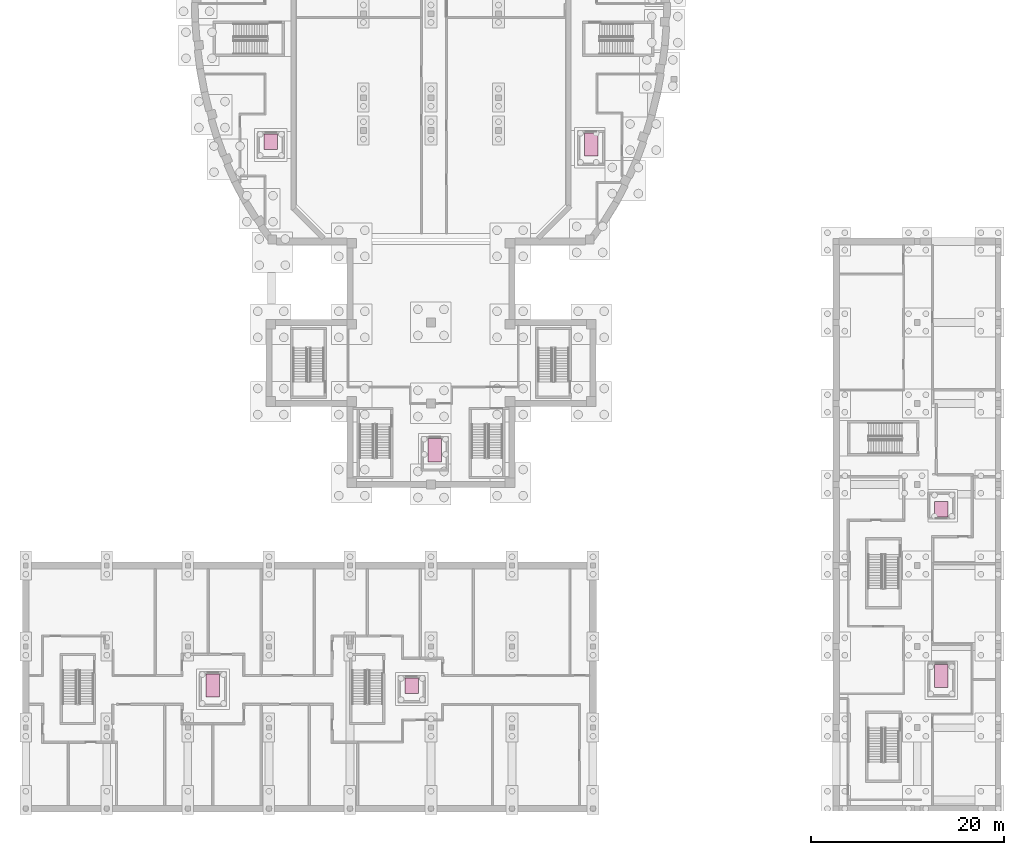
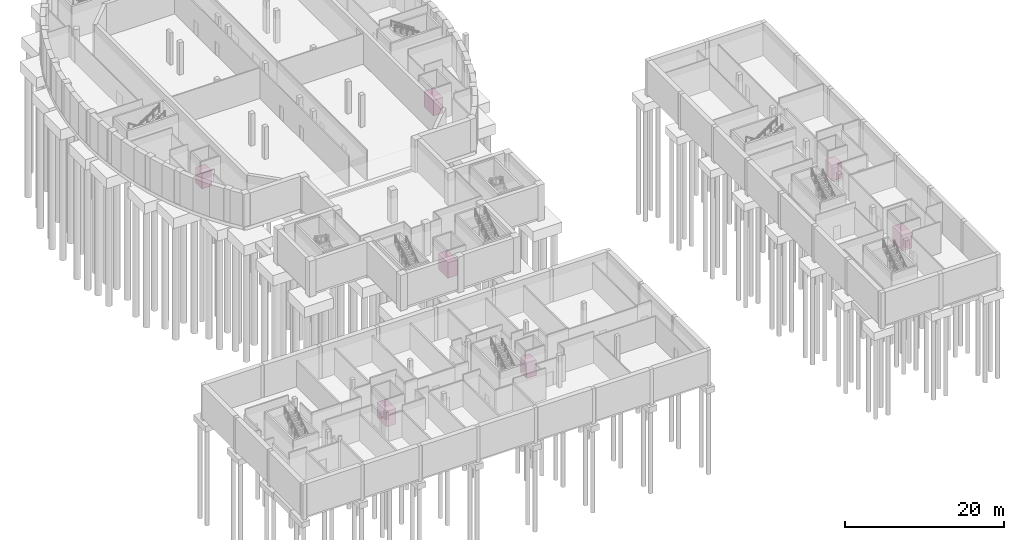
# One storey, part 33 of 33: 7 transport elements.
"""IFC4 building model written with IfcOpenShell, lengths in metres."""

import ifcopenshell
import ifcopenshell.guid

model = None  # the IFC model being written
_history = None  # IfcOwnerHistory: only IFC2X3 demands one
_inside = {}  # id of a spatial element -> (the spatial element, [elements in it])
_under = {}  # id of a project, library or spatial element -> (it, [spatial elements below it])
_declared = {}  # id of a project -> (the project, [libraries it declares])
_typed = {}  # id of a type object -> (the type object, [elements of that type])
_made_of = {}  # id of a material, layer set ... -> (it, [elements and type objects made of it])


def new_model(schema):
    """Start an empty IFC model of exactly this schema.

    Asked for "IFC4X3", IfcOpenShell would pick the latest addendum, in which some entities
    have other attributes; the version numbers below select the first issue.
    IFC2X3 requires an IfcOwnerHistory on every rooted entity: one is made here for all.
    """
    global model, _history
    if schema == "IFC4X3":
        model = ifcopenshell.file(schema_version=(4, 3, 0, 0))
    else:
        model = ifcopenshell.file(schema=schema)
    _inside.clear()
    _under.clear()
    _declared.clear()
    _typed.clear()
    _made_of.clear()
    _history = None
    if model.schema == "IFC2X3":
        org = make("IfcOrganization", Name="unknown")
        user = make(
            "IfcPersonAndOrganization",
            ThePerson=make("IfcPerson", FamilyName="unknown"),
            TheOrganization=org,
        )
        app = make(
            "IfcApplication",
            ApplicationDeveloper=org,
            Version="unknown",
            ApplicationFullName="unknown",
            ApplicationIdentifier="unknown",
        )
        _history = make(
            "IfcOwnerHistory",
            OwningUser=user,
            OwningApplication=app,
            ChangeAction="ADDED",
            CreationDate=0,
        )
    return model


def make(cls, **values):
    """One entity of the class cls with the attributes given. An attribute that is None is left unset."""
    return model.create_entity(
        cls, **{name: value for name, value in values.items() if value is not None}
    )


def rooted(cls, **values):
    """An entity with a GlobalId (a new one), such as an element, a storey or a relation."""
    return make(cls, GlobalId=ifcopenshell.guid.new(), OwnerHistory=_history, **values)


def si_unit(unit_type, name, prefix=None):
    """IfcSIUnit, for example si_unit("LENGTHUNIT", "METRE", prefix="MILLI")."""
    return make("IfcSIUnit", UnitType=unit_type, Prefix=prefix, Name=name)


def assignment(units):
    """IfcUnitAssignment: the units of a project."""
    return None if units is None else make("IfcUnitAssignment", Units=units)


def point(xyz):
    """IfcCartesianPoint."""
    return None if xyz is None else make("IfcCartesianPoint", Coordinates=xyz)


def direction(xyz):
    """IfcDirection."""
    return None if xyz is None else make("IfcDirection", DirectionRatios=xyz)


def frame(location, z_axis=None, x_axis=None):
    """IfcAxis2Placement3D, a coordinate frame: its origin and axes. An axis left out is left unset."""
    return make(
        "IfcAxis2Placement3D",
        Location=point(location),
        Axis=direction(z_axis),
        RefDirection=direction(x_axis),
    )


def frame_2d(location, x_axis=None):
    """IfcAxis2Placement2D, a coordinate frame in the plane: its origin and x axis."""
    return make(
        "IfcAxis2Placement2D", Location=point(location), RefDirection=direction(x_axis)
    )


def origin():
    """The frame at (0, 0, 0) with its axes left unset."""
    return frame((0.0, 0.0, 0.0))


def origin_2d():
    """The frame at (0, 0) in the plane with its x axis left unset."""
    return frame_2d((0.0, 0.0))


def place(relative_to, where):
    """IfcLocalPlacement: puts the frame where relative to a parent placement (None: the world)."""
    return make(
        "IfcLocalPlacement", PlacementRelTo=relative_to, RelativePlacement=where
    )


def context(
    kind, dimensions, precision=None, world=None, true_north=None, identifier=None
):
    """IfcGeometricRepresentationContext, for example the 3D "Model" context."""
    return make(
        "IfcGeometricRepresentationContext",
        ContextIdentifier=identifier,
        ContextType=kind,
        CoordinateSpaceDimension=dimensions,
        Precision=precision,
        WorldCoordinateSystem=world,
        TrueNorth=true_north,
    )


def subcontext(parent, identifier, kind, view, scale=None):
    """IfcGeometricRepresentationSubContext, for example "Body" below "Model"."""
    return make(
        "IfcGeometricRepresentationSubContext",
        ContextIdentifier=identifier,
        ContextType=kind,
        ParentContext=parent,
        TargetScale=scale,
        TargetView=view,
    )


def project(units=None, contexts=None):
    """IfcProject with its units and contexts."""
    return rooted(
        "IfcProject",
        Name="project",
        RepresentationContexts=contexts,
        UnitsInContext=assignment(units),
    )


def spatial(cls, under=None, at=None, **own):
    """A site, building, storey or space (cls), placed at a placement, below another one or the project."""
    s = rooted(cls, ObjectPlacement=at, **own)
    if under is not None:
        _under.setdefault(under.id(), (under, []))[1].append(s)
    return s


def profile(cls, at=None, kind="AREA", **sizes):
    """A parametric profile (cls). Its sizes go by their IFC names, for example OverallWidth=200.0."""
    return make(cls, ProfileType=kind, Position=at, **sizes)


def rectangle(**sizes):
    """IfcRectangleProfileDef."""
    return profile("IfcRectangleProfileDef", **sizes)


def extrude(swept, where, along, depth):
    """IfcExtrudedAreaSolid: the profile swept, set in the frame where, extruded along a direction by depth."""
    return make(
        "IfcExtrudedAreaSolid",
        SweptArea=swept,
        Position=where,
        ExtrudedDirection=direction(along),
        Depth=depth,
    )


def shape(context_of_items, identifier, shape_type, items):
    """IfcShapeRepresentation: the items that make up one representation, for example the "Body"."""
    return make(
        "IfcShapeRepresentation",
        ContextOfItems=context_of_items,
        RepresentationIdentifier=identifier,
        RepresentationType=shape_type,
        Items=items,
    )


def material(Name=None, Category=None):
    """IfcMaterial."""
    return make("IfcMaterial", Name=Name, Category=Category)


def made_of(thing, what):
    """Note that an element or type object is made of a material, layer set ...; save() writes the relation."""
    if what is not None:
        _made_of.setdefault(what.id(), (what, []))[1].append(thing)
    return thing


def type_object(cls, material=None, **own):
    """A type object (cls), such as IfcWallType, which elements share."""
    return made_of(rooted(cls, **own), material)


def element(
    cls,
    number,
    at=None,
    inside=None,
    cuts=None,
    type_object=None,
    material=None,
    context=None,
    identifier="Body",
    shape_type=None,
    held_by="IfcProductDefinitionShape",
    body=None,
    shapes=None,
    **own,
):
    """One element of the class cls, such as IfcWall. Its Tag is "e" and its number.

    at: its placement. inside: the storey or other place that contains it. cuts: it is an
    opening in that element (IfcRelVoidsElement). A single representation is given by context,
    identifier, shape_type and body (its items); several are given by shapes. held_by: the class
    of the entity that holds the representations. save() writes the other relations.
    """
    e = rooted(cls, Tag="e%d" % number, ObjectPlacement=at, **own)
    if body is not None:
        shapes = [shape(context, identifier, shape_type, body)]
    if shapes is not None:
        e.Representation = make(held_by, Representations=shapes)
    if inside is not None:
        _inside.setdefault(inside.id(), (inside, []))[1].append(e)
    if cuts is not None:
        rooted(
            "IfcRelVoidsElement", RelatingBuildingElement=cuts, RelatedOpeningElement=e
        )
    if type_object is not None:
        _typed.setdefault(type_object.id(), (type_object, []))[1].append(e)
    return made_of(e, material)


def aggregate(whole, parts):
    """IfcRelAggregates: a whole, such as a stair, and the parts it consists of."""
    return rooted("IfcRelAggregates", RelatingObject=whole, RelatedObjects=parts)


def save(model, path):
    """Write the relations noted so far, then the file.

    IfcRelAggregates (storeys below a building ...), IfcRelContainedInSpatialStructure (elements
    in a storey), IfcRelDefinesByType, IfcRelAssociatesMaterial and IfcRelDeclares: one each for
    every whole, place, type object, material and project.
    """
    for whole, parts in _under.values():
        aggregate(whole, parts)
    for where, things in _inside.values():
        rooted(
            "IfcRelContainedInSpatialStructure",
            RelatedElements=things,
            RelatingStructure=where,
        )
    for kind, things in _typed.values():
        rooted("IfcRelDefinesByType", RelatedObjects=things, RelatingType=kind)
    for what, things in _made_of.values():
        rooted("IfcRelAssociatesMaterial", RelatedObjects=things, RelatingMaterial=what)
    for by, libraries in _declared.values():
        rooted("IfcRelDeclares", RelatingContext=by, RelatedDefinitions=libraries)
    model.write(path)


model = new_model("IFC4")

# Units and contexts
model_context = context("Model", 3, precision=1e-05, world=origin(), true_north=direction((0.0, 1.0)))
body_context = subcontext(model_context, "Body", "Model", "MODEL_VIEW")
ifc_project = project(units=[si_unit("LENGTHUNIT", "METRE"), si_unit("AREAUNIT", "SQUARE_METRE"), si_unit("VOLUMEUNIT", "CUBIC_METRE"), si_unit("PLANEANGLEUNIT", "RADIAN"), si_unit("MASSUNIT", "GRAM", prefix="KILO")], contexts=[model_context])

# Site, building, storey
site_placement = place(None, origin())
site = spatial("IfcSite", under=ifc_project, at=site_placement, CompositionType="ELEMENT")
building_placement = place(site_placement, origin())
building = spatial("IfcBuilding", under=site, at=building_placement, Name="Larchfold Concert Hall", CompositionType="ELEMENT")
storey_placement = place(building_placement, frame((0.0, 0.0, -5.0)))
storey = spatial("IfcBuildingStorey", under=building, at=storey_placement, Name="B1", CompositionType="ELEMENT", Elevation=-5.0)

# Transport elements
ifc_material_1 = material(Name="Stainless steel car lining", Category="steel")
transport_element_type_1 = type_object("IfcTransportElementType", Name="Lift car 1400 x 1600 1000 kg", PredefinedType="ELEVATOR", material=ifc_material_1)
for number, where, z_axis, x_axis, name in (
    (1, (26.0, 69.75, 0.050048828125), (0.0, 0.0, 1.0), (1.0, 0.0, 0.0), "Lift LF02"),
    (2, (95.5, 31.650146484375, 0.02001953125), (0.0, 0.0, 1.0), (1.0, 0.0, 0.0), "Lift LF07"),
    (3, (40.60009765625, 13.349853515625, 0.02001953125), (0.0, 0.0, 1.0), (1.0, 0.0, 0.0), "Lift LF11"),
):
    element("IfcTransportElement", number, at=place(storey_placement, frame(where, z_axis=z_axis, x_axis=x_axis)), inside=storey, type_object=transport_element_type_1, Name=name, PredefinedType="ELEVATOR", context=body_context, shape_type="SweptSolid", body=[
        extrude(rectangle(XDim=1.39990234375, YDim=1.60009765625, at=origin_2d()), origin(), (0.0, 0.0, 1.0), 2.39990234375),
    ])
ifc_material_2 = material(Name="Stainless steel car lining", Category="steel")
transport_element_type_2 = type_object("IfcTransportElementType", Name="Lift car 1400 x 2400 1600 kg", PredefinedType="ELEVATOR", material=ifc_material_2)
for number, where, z_axis, x_axis, name in (
    (4, (59.199951171875, 69.449951171875, 0.050048828125), (0.0, 0.0, 1.0), (1.0, 0.0, 0.0), "Lift LF01"),
    (5, (43.0, 37.75, 0.02001953125), (0.0, 0.0, 1.0), (1.0, 0.0, 0.0), "Lift LF05"),
    (6, (95.5, 14.35009765625, 0.02001953125), (0.0, 0.0, 1.0), (1.0, 0.0, 0.0), "Lift LF06"),
    (7, (20.0, 13.35009765625, 0.02001953125), (0.0, 0.0, 1.0), (1.0, 0.0, 0.0), "Lift LF10"),
):
    element("IfcTransportElement", number, at=place(storey_placement, frame(where, z_axis=z_axis, x_axis=x_axis)), inside=storey, type_object=transport_element_type_2, Name=name, PredefinedType="ELEVATOR", context=body_context, shape_type="SweptSolid", body=[
        extrude(rectangle(XDim=1.39990234375, YDim=2.39990234375, at=origin_2d()), origin(), (0.0, 0.0, 1.0), 2.39990234375),
    ])

save(model, "model.ifc")
